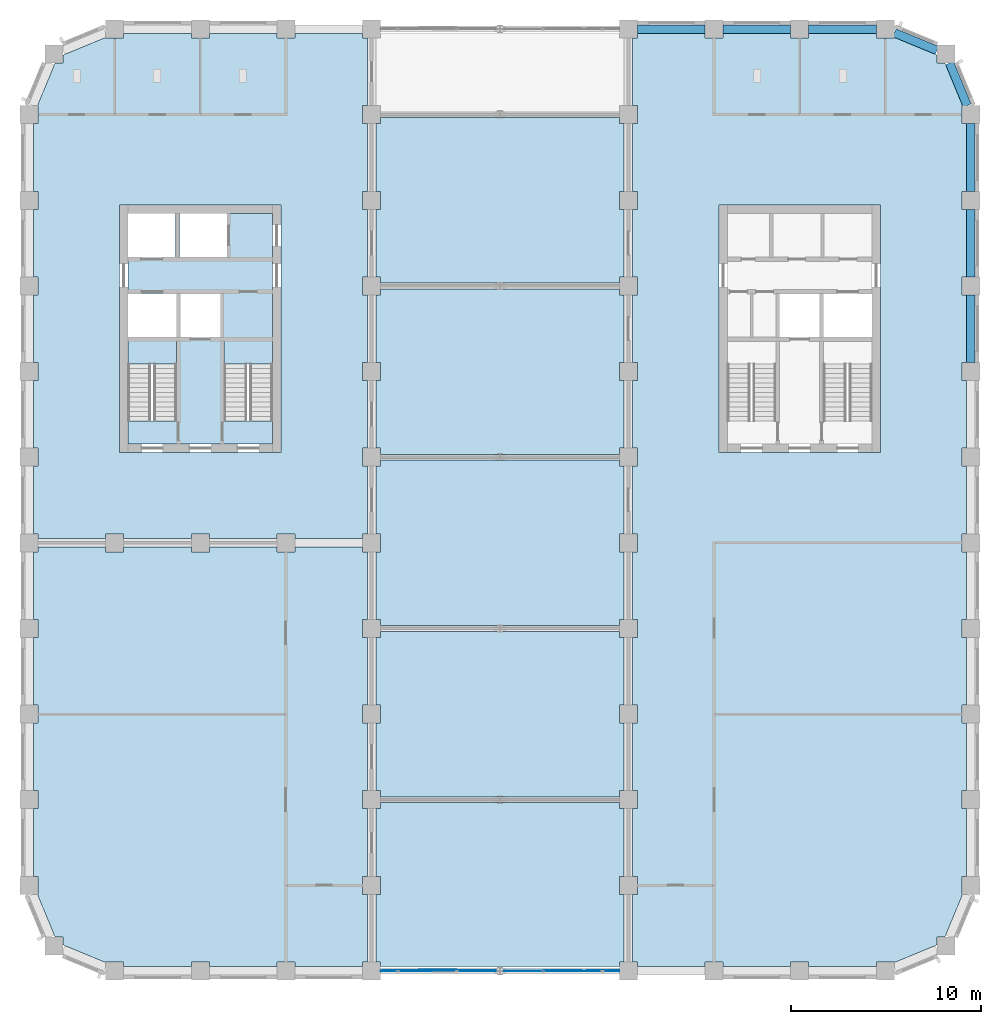
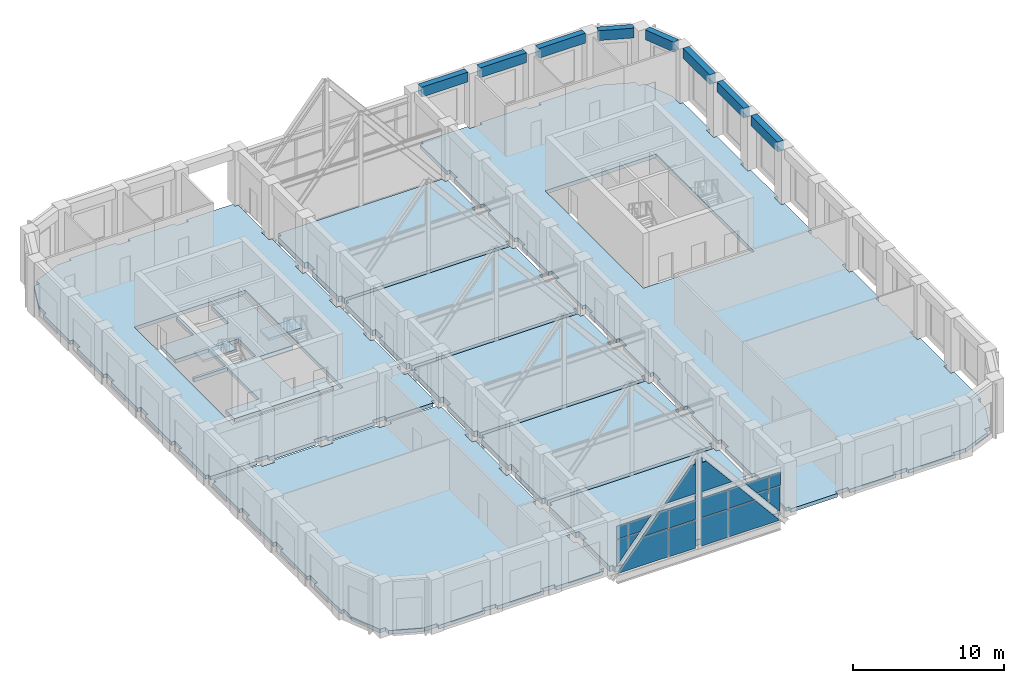
# One storey, part 6 of 15: 16 plates, 11 slabs, 8 beams, 6 elements without a shape of their own.
"""IFC4 building model written with IfcOpenShell, lengths in metres."""

from ifc_helpers import new_model, si_unit, direction, frame, origin, origin_2d, place, context, subcontext, project, spatial, polyline, rectangle, outline, extrude, material, layer, layer_set, material_profile, profile_set, type_object, element, aggregate, save


model = new_model("IFC4")

# Units and contexts
model_context = context("Model", 3, precision=1e-05, world=origin(), true_north=direction((0.0, 1.0)))
body_context = subcontext(model_context, "Body", "Model", "MODEL_VIEW")
ifc_project = project(units=[si_unit("LENGTHUNIT", "METRE"), si_unit("AREAUNIT", "SQUARE_METRE"), si_unit("VOLUMEUNIT", "CUBIC_METRE"), si_unit("PLANEANGLEUNIT", "RADIAN"), si_unit("MASSUNIT", "GRAM", prefix="KILO")], contexts=[model_context])

# Site, building, storey
site_placement = place(None, origin())
site = spatial("IfcSite", under=ifc_project, at=site_placement, CompositionType="ELEMENT")
building_placement = place(site_placement, origin())
building = spatial("IfcBuilding", under=site, at=building_placement, Name="Girih Gate Residences", CompositionType="ELEMENT")
storey_placement = place(building_placement, frame((0.0, 0.0, 168.199951171875)))
storey = spatial("IfcBuildingStorey", under=building, at=storey_placement, Name="L46", CompositionType="ELEMENT", Elevation=168.199951171875)

# Beams
ifc_material_1 = material(Name="Concrete C60/75", Category="concrete")
ifc_material_profile = material_profile(ifc_material_1, rectangle(XDim=0.449951171875, YDim=0.800048828125, at=origin_2d()))
ifc_profile_set = profile_set([ifc_material_profile], Name="Concrete C60/75")
beam_type = type_object("IfcBeamType", Name="Spandrel girder RC 450x800 Concrete C60/75", PredefinedType="BEAM", material=ifc_profile_set)
for number, where, z_axis, x_axis, name in (
    (1, (49.5, 31.97509765625, 4.0), (0.0, 1.0, 0.0), (-1.0, 0.0, 0.0), "Spandrel girder SP-P12H-P12I L46"),
    (2, (49.5, 36.47509765625, 4.0), (0.0, 1.0, 0.0), (-1.0, 0.0, 0.0), "Spandrel girder SP-P12I-P12J L46"),
    (3, (49.5, 40.97509765625, 4.0), (0.0, 1.0, 0.0), (-1.0, 0.0, 0.0), "Spandrel girder SP-P12J-P12K L46"),
):
    element("IfcBeam", number, at=place(storey_placement, frame(where, z_axis=z_axis, x_axis=x_axis)), inside=storey, type_object=beam_type, Name=name, PredefinedType="BEAM", context=body_context, shape_type="SweptSolid", body=[
        extrude(rectangle(XDim=0.449951171875, YDim=0.800048828125, at=origin_2d()), origin(), (0.0, 0.0, 1.0), 3.5498046875),
    ])
for number, where, z_axis, x_axis, name in (
    (4, (49.30322265625, 45.47509765625, 4.0), (-0.382705825988, 0.923870256451, 0.0), (-0.923870256451, -0.382705825988, 0.0), "Spandrel girder SP-P12K-P12LSW L46"),
    (5, (47.70703125, 48.378662109375, 4.0), (-0.923870256451, 0.382705825988, 0.0), (-0.382705825988, -0.923870256451, 0.0), "Spandrel girder SP-P12LSW-P11L L46"),
):
    element("IfcBeam", number, at=place(storey_placement, frame(where, z_axis=z_axis, x_axis=x_axis)), inside=storey, type_object=beam_type, Name=name, PredefinedType="BEAM", context=body_context, shape_type="SweptSolid", body=[
        extrude(rectangle(XDim=0.449951171875, YDim=0.800048828125, at=origin_2d()), origin(), (0.0, 0.0, 1.0), 2.415771484375),
    ])
for number, where, z_axis, x_axis, name in (
    (6, (44.52490234375, 49.5, 4.0), (-1.0, 0.0, 0.0), (0.0, -1.0, 0.0), "Spandrel girder SP-P11L-P10L L46"),
    (7, (40.02490234375, 49.5, 4.0), (-1.0, 0.0, 0.0), (0.0, -1.0, 0.0), "Spandrel girder SP-P10L-P9L L46"),
    (8, (35.52490234375, 49.5, 4.0), (-1.0, 0.0, 0.0), (0.0, -1.0, 0.0), "Spandrel girder SP-P9L-P8L L46"),
):
    element("IfcBeam", number, at=place(storey_placement, frame(where, z_axis=z_axis, x_axis=x_axis)), inside=storey, type_object=beam_type, Name=name, PredefinedType="BEAM", context=body_context, shape_type="SweptSolid", body=[
        extrude(rectangle(XDim=0.449951171875, YDim=0.800048828125, at=origin_2d()), origin(), (0.0, 0.0, 1.0), 3.5498046875),
    ])

# Slab
ifc_material_2 = material(Name="Concrete C40/50", Category="concrete")
ifc_layer_1 = layer(ifc_material_2, 0.300048828125)
ifc_layer_set_1 = layer_set([ifc_layer_1], Name="Core floor slab 300")
slab_type_1 = type_object("IfcSlabType", Name="Core floor slab 300", PredefinedType="FLOOR", material=ifc_layer_set_1)
slab_1_placement = place(storey_placement, frame((0.0, 0.0, -0.300048828125)))
element("IfcSlab", 9, at=slab_1_placement, inside=storey, type_object=slab_type_1, Name="L46 W core floor", PredefinedType="FLOOR", context=body_context, shape_type="SweptSolid", body=[
    extrude(outline(polyline([(12.800048828125, 27.699951171875), (5.199951171875, 27.699951171875), (5.199951171875, 28.900634765625), (7.75, 28.900634765625), (7.75, 33.10009765625), (5.199951171875, 33.10009765625), (5.199951171875, 33.300048828125), (7.75, 33.300048828125), (7.75, 35.60009765625), (5.199951171875, 35.60009765625), (5.199951171875, 37.5), (7.699951171875, 37.5), (7.699951171875, 39.800048828125), (7.89990234375, 39.800048828125), (7.89990234375, 37.5), (10.39990234375, 37.5), (10.39990234375, 39.800048828125), (12.800048828125, 39.800048828125), (12.800048828125, 33.10009765625), (10.25, 33.10009765625), (10.25, 28.900634765625), (12.800048828125, 28.900634765625), (12.800048828125, 27.699951171875)]), holes=[polyline([(7.949951171875, 33.300048828125), (10.050048828125, 33.300048828125), (10.050048828125, 35.60009765625), (7.949951171875, 35.60009765625), (7.949951171875, 33.300048828125)])]), origin(), (0.0, 0.0, 1.0), 0.300048828125),
])

# Curtain wall, plates
ifc_material_3 = material(Name="Aluminium curtain wall frame", Category="aluminium")
curtain_wall_type = type_object("IfcCurtainWallType", Name="Curtain wall CW-4 bridge glazing", PredefinedType="NOTDEFINED", material=ifc_material_3)
curtain_wall_1_placement = place(storey_placement, origin())
curtain_wall_1 = element("IfcCurtainWall", 10, at=curtain_wall_1_placement, inside=storey, type_object=curtain_wall_type, Name="CW-4 Bridge glazing S1", PredefinedType="NOTDEFINED")
ifc_material_4 = material(Name="Double glazed unit")
ifc_layer_2 = layer(ifc_material_4, 0.028076171875)
ifc_layer_set_2 = layer_set([ifc_layer_2], Name="Curtain wall glass panel 28")
plate_type = type_object("IfcPlateType", Name="Curtain wall glass panel 28", PredefinedType="CURTAIN_PANEL", material=ifc_layer_set_2)
plate_1_placement = place(storey_placement, frame((19.333251953125, 0.013916015625, 3.43505859375), z_axis=(0.0, 1.0, 0.0), x_axis=(0.0, 0.0, -1.0)))
plate_1 = element("IfcPlate", 11, at=plate_1_placement, type_object=plate_type, Name="CW-4 panel S1.1", PredefinedType="CURTAIN_PANEL", context=body_context, shape_type="SweptSolid", body=[
    extrude(outline(polyline([(0.0, 0.0), (1.035888671875, 0.0), (1.035888671875, 0.858154296875), (0.0, 0.858154296875), (0.0, 0.0)])), origin(), (0.0, 0.0, -1.0), 0.028076171875),
])
plate_2_placement = place(storey_placement, frame((21.139892578125, 0.013916015625, 3.43505859375), z_axis=(0.0, 1.0, 0.0), x_axis=(-0.640167072244, 0.0, -0.768235718783)))
plate_2 = element("IfcPlate", 12, at=plate_2_placement, type_object=plate_type, Name="CW-4 panel S1.2", PredefinedType="CURTAIN_PANEL", context=body_context, shape_type="SweptSolid", body=[
    extrude(outline(polyline([(0.0, 0.0), (1.3858991968136753, 0.0), (1.3637674060870153, 0.0184423131164142), (1.9139109837969996, 0.6786448839455945), (1.118104305379894, 1.3417867021908965), (0.0, 0.0)])), origin(), (0.0, 0.0, -1.0), 0.028076171875),
])
plate_3_placement = place(storey_placement, frame((19.393310546875, 0.013916015625, 1.339111328125), z_axis=(0.0, 1.0, 0.0), x_axis=(0.0, 0.0, 1.0)))
plate_3 = element("IfcPlate", 13, at=plate_3_placement, type_object=plate_type, Name="CW-4 panel S1.3", PredefinedType="CURTAIN_PANEL", context=body_context, shape_type="SweptSolid", body=[
    extrude(outline(polyline([(0.0, 0.0), (1.0, 0.0), (1.0, 0.833251953125), (0.0, 0.0)])), origin(), (0.0, 0.0, -1.0), 0.028076171875),
])
plate_4_placement = place(storey_placement, frame((18.47509765625, 0.013916015625, 0.237060546875), z_axis=(0.0, 1.0, 0.0), x_axis=(0.0, 0.0, 1.0)))
plate_4 = element("IfcPlate", 14, at=plate_4_placement, type_object=plate_type, Name="CW-4 panel S1.4", PredefinedType="CURTAIN_PANEL", context=body_context, shape_type="SweptSolid", body=[
    extrude(outline(polyline([(0.0, 0.0), (2.10205078125, 0.0), (2.10205078125, 0.858154296875), (1.065185546875, 0.858154296875), (1.065185546875, 0.887451171875), (0.0, 0.0)])), origin(), (0.0, 0.0, -1.0), 0.028076171875),
])
aggregate(curtain_wall_1, [plate_1, plate_2, plate_3, plate_4])

curtain_wall_2_placement = place(storey_placement, origin())
curtain_wall_2 = element("IfcCurtainWall", 15, at=curtain_wall_2_placement, inside=storey, type_object=curtain_wall_type, Name="CW-4 Bridge glazing S3", PredefinedType="NOTDEFINED")
plate_5_placement = place(storey_placement, frame((24.534912109375, 0.0439453125, 1.86962890625), z_axis=(0.0, 1.0, 0.0), x_axis=(-1.0, 0.0, 0.0)))
plate_5 = element("IfcPlate", 16, at=plate_5_placement, type_object=plate_type, Name="CW-4 panel S3.1", PredefinedType="CURTAIN_PANEL", context=body_context, shape_type="SweptSolid", body=[
    extrude(outline(polyline([(0.0, 0.0), (2.025146484375, 0.0), (2.025146484375, 1.5654296875), (0.034912109375, 1.5654296875), (0.034912109375, 2.095458984375), (2.341552734375, 2.095458984375), (0.366455078125, 4.46533203125), (0.034912109375, 4.46533203125), (0.034912109375, 4.86328125), (0.00830078125, 4.8955078125), (0.0, 4.8955078125), (0.0, 0.0)])), origin(), (0.0, 0.0, -1.0), 0.028076171875),
])
plate_6_placement = place(storey_placement, frame((24.534912109375, 0.013916015625, -0.43505859375), z_axis=(0.0, 1.0, 0.0), x_axis=(-1.0, 0.0, 0.0)))
plate_6 = element("IfcPlate", 17, at=plate_6_placement, type_object=plate_type, Name="CW-4 panel S3.2", PredefinedType="CURTAIN_PANEL", context=body_context, shape_type="SweptSolid", body=[
    extrude(outline(polyline([(0.0, 0.0), (2.025146484375, 0.0), (2.025146484375, 2.24462890625), (0.0, 2.24462890625), (0.0, 0.0)])), origin(), (0.0, 0.0, -1.0), 0.028076171875),
])
plate_7_placement = place(storey_placement, frame((18.526611328125, 0.0439453125, -0.43505859375), z_axis=(0.0, 1.0, 0.0), x_axis=(0.640233083146, 0.0, 0.768180707416)))
plate_7 = element("IfcPlate", 18, at=plate_7_placement, type_object=plate_type, Name="CW-4 panel S3.3", PredefinedType="CURTAIN_PANEL", context=body_context, shape_type="SweptSolid", body=[
    extrude(outline(polyline([(0.0, 0.0), (2.95950871722392, 0.0), (2.937378511297393, 0.01844421479765601), (4.235976278576423, 1.5765607473195384), (2.511695657487571, 3.0136464324860532), (0.0, 0.0)])), origin(), (0.0, 0.0, -1.0), 0.028076171875),
])
plate_8_placement = place(storey_placement, frame((21.751708984375, 0.073974609375, 3.43505859375), z_axis=(0.0, 1.0, 0.0), x_axis=(1.0, 0.0, 0.0)))
plate_8 = element("IfcPlate", 19, at=plate_8_placement, type_object=plate_type, Name="CW-4 panel S3.4", PredefinedType="CURTAIN_PANEL", context=body_context, shape_type="SweptSolid", body=[
    extrude(outline(polyline([(0.0, 0.0), (0.697998046875, 0.0), (0.697998046875, 1.5654296875), (-1.304443359375, 1.5654296875), (0.0, 0.0)])), origin(), (0.0, 0.0, -1.0), 0.028076171875),
])
aggregate(curtain_wall_2, [plate_5, plate_6, plate_7, plate_8])

curtain_wall_3_placement = place(storey_placement, origin())
curtain_wall_3 = element("IfcCurtainWall", 20, at=curtain_wall_3_placement, inside=storey, type_object=curtain_wall_type, Name="CW-4 Bridge glazing S4", PredefinedType="NOTDEFINED")
plate_9_placement = place(storey_placement, frame((25.0, 0.013916015625, 6.73291015625), z_axis=(0.0, 1.0, 0.0), x_axis=(0.0, 0.0, -1.0)))
plate_9 = element("IfcPlate", 21, at=plate_9_placement, type_object=plate_type, Name="CW-4 panel S4.1", PredefinedType="CURTAIN_PANEL", context=body_context, shape_type="SweptSolid", body=[
    extrude(outline(polyline([(0.0, 0.0), (0.39794921875, 0.0), (0.39794921875, -0.33154296875), (2.767822265625, -2.306640625), (2.767822265625, 0.0), (3.2978515625, 0.0), (3.2978515625, -1.990234375), (4.86328125, -1.990234375), (4.86328125, 0.034912109375), (-0.0322265625, 0.034912109375), (-0.0322265625, 0.026611328125), (0.0, 0.0)])), origin(), (0.0, 0.0, -1.0), 0.028076171875),
])
plate_10_placement = place(storey_placement, frame((27.748291015625, 0.0439453125, 3.43505859375), z_axis=(0.0, 1.0, 0.0), x_axis=(0.640160829594, 0.0, -0.76824092071)))
plate_10 = element("IfcPlate", 22, at=plate_10_placement, type_object=plate_type, Name="CW-4 panel S4.2", PredefinedType="CURTAIN_PANEL", context=body_context, shape_type="SweptSolid", body=[
    extrude(outline(polyline([(0.0, 0.0), (2.0376806875278284, 0.0), (0.7557961356899306, 1.5383574296059517), (-0.44683100874232495, 0.5362306621852494), (0.0, 0.0)])), origin(), (0.0, 0.0, -1.0), 0.028076171875),
])
plate_11_placement = place(storey_placement, frame((30.973388671875, 0.013916015625, -0.43505859375), z_axis=(0.0, 1.0, 0.0), x_axis=(-1.0, 0.0, 0.0)))
plate_11 = element("IfcPlate", 23, at=plate_11_placement, type_object=plate_type, Name="CW-4 panel S4.3", PredefinedType="CURTAIN_PANEL", context=body_context, shape_type="SweptSolid", body=[
    extrude(outline(polyline([(0.0, 0.0), (3.923095703125, 0.0), (3.923095703125, 2.24462890625), (1.894775390625, 2.24462890625), (1.894775390625, 2.2734375), (0.0, 0.0)])), origin(), (0.0, 0.0, -1.0), 0.028076171875),
])
plate_12_placement = place(storey_placement, frame((24.965087890625, 0.013916015625, -0.43505859375), z_axis=(0.0, 1.0, 0.0), x_axis=(0.0, 0.0, 1.0)))
plate_12 = element("IfcPlate", 24, at=plate_12_placement, type_object=plate_type, Name="CW-4 panel S4.4", PredefinedType="CURTAIN_PANEL", context=body_context, shape_type="SweptSolid", body=[
    extrude(outline(polyline([(0.0, 0.0), (2.24462890625, 0.0), (2.24462890625, 2.025146484375), (0.0, 2.025146484375), (0.0, 0.0)])), origin(), (0.0, 0.0, -1.0), 0.028076171875),
])
aggregate(curtain_wall_3, [plate_9, plate_10, plate_11, plate_12])

curtain_wall_4_placement = place(storey_placement, origin())
curtain_wall_4 = element("IfcCurtainWall", 25, at=curtain_wall_4_placement, inside=storey, type_object=curtain_wall_type, Name="CW-4 Bridge glazing S6", PredefinedType="NOTDEFINED")
plate_13_placement = place(storey_placement, frame((30.137451171875, 0.0439453125, 1.30224609375), z_axis=(0.0, 1.0, 0.0), x_axis=(1.0, 0.0, 0.0)))
plate_13 = element("IfcPlate", 26, at=plate_13_placement, type_object=plate_type, Name="CW-4 panel S6.1", PredefinedType="CURTAIN_PANEL", context=body_context, shape_type="SweptSolid", body=[
    extrude(outline(polyline([(0.0, 0.0), (0.029296875, 0.0), (0.029296875, -1.036865234375), (0.887451171875, -1.036865234375), (0.887451171875, 1.065185546875), (0.0, 0.0)])), origin(), (0.0, 0.0, -1.0), 0.028076171875),
])
plate_14_placement = place(storey_placement, frame((29.2734375, 0.0439453125, 2.339111328125), z_axis=(0.0, 1.0, 0.0), x_axis=(1.0, 0.0, 0.0)))
plate_14 = element("IfcPlate", 27, at=plate_14_placement, type_object=plate_type, Name="CW-4 panel S6.2", PredefinedType="CURTAIN_PANEL", context=body_context, shape_type="SweptSolid", body=[
    extrude(outline(polyline([(0.0, 0.0), (0.833251953125, 0.0), (0.833251953125, 1.0), (0.0, 0.0)])), origin(), (0.0, 0.0, -1.0), 0.028076171875),
])
plate_15_placement = place(storey_placement, frame((28.360107421875, 0.013916015625, 3.43505859375), z_axis=(0.0, 1.0, 0.0), x_axis=(1.0, 0.0, 0.0)))
plate_15 = element("IfcPlate", 28, at=plate_15_placement, type_object=plate_type, Name="CW-4 panel S6.3", PredefinedType="CURTAIN_PANEL", context=body_context, shape_type="SweptSolid", body=[
    extrude(outline(polyline([(0.0, 0.0), (1.74658203125, 0.0), (1.74658203125, 1.035888671875), (0.88720703125, 1.035888671875), (0.88720703125, 1.064697265625), (0.0, 0.0)])), origin(), (0.0, 0.0, -1.0), 0.028076171875),
])
plate_16_placement = place(storey_placement, frame((31.02490234375, 0.013916015625, 3.43505859375), z_axis=(0.0, 1.0, 0.0), x_axis=(0.0, 0.0, -1.0)))
plate_16 = element("IfcPlate", 29, at=plate_16_placement, type_object=plate_type, Name="CW-4 panel S6.4", PredefinedType="CURTAIN_PANEL", context=body_context, shape_type="SweptSolid", body=[
    extrude(outline(polyline([(0.0, 0.0), (1.035888671875, 0.0), (1.035888671875, 0.858154296875), (0.0, 0.858154296875), (0.0, 0.0)])), origin(), (0.0, 0.0, -1.0), 0.028076171875),
])
aggregate(curtain_wall_4, [plate_13, plate_14, plate_15, plate_16])

# Slabs
ifc_layer_3 = layer(ifc_material_2, 0.300048828125)
ifc_layer_set_3 = layer_set([ifc_layer_3], Name="Floor slab PT 300 Concrete C40/50")
slab_type_2 = type_object("IfcSlabType", Name="Floor slab PT 300 Concrete C40/50", PredefinedType="FLOOR", material=ifc_layer_set_3)
slab_2_placement = place(storey_placement, frame((0.0, 0.0, -0.300048828125)))
element("IfcSlab", 30, at=slab_2_placement, inside=storey, type_object=slab_type_2, Name="Floor slab L46 1", PredefinedType="FLOOR", context=body_context, shape_type="SweptSolid", body=[
    extrude(outline(polyline([(0.22509765625, 8.52490234375), (0.22509765625, 4.97509765625), (0.47509765625, 4.97509765625), (0.47509765625, 4.02490234375), (0.440185546875, 4.02490234375), (1.36474609375, 1.79296875), (1.79296875, 1.79296875), (1.79296875, 1.36474609375), (4.02490234375, 0.440185546875), (4.02490234375, 0.47509765625), (4.97509765625, 0.47509765625), (4.97509765625, 0.22509765625), (8.52490234375, 0.22509765625), (8.52490234375, 0.47509765625), (9.47509765625, 0.47509765625), (9.47509765625, 0.22509765625), (13.02490234375, 0.22509765625), (13.02490234375, 0.47509765625), (13.97509765625, 0.47509765625), (13.97509765625, 0.22509765625), (17.52490234375, 0.22509765625), (17.52490234375, 0.47509765625), (17.77490234375, 0.47509765625), (17.77490234375, 4.02490234375), (17.52490234375, 4.02490234375), (17.52490234375, 4.97509765625), (17.77490234375, 4.97509765625), (17.77490234375, 8.52490234375), (17.52490234375, 8.52490234375), (17.52490234375, 9.47509765625), (17.77490234375, 9.47509765625), (17.77490234375, 13.02490234375), (17.52490234375, 13.02490234375), (17.52490234375, 13.97509765625), (17.77490234375, 13.97509765625), (17.77490234375, 17.52490234375), (17.52490234375, 17.52490234375), (17.52490234375, 18.47509765625), (17.77490234375, 18.47509765625), (17.77490234375, 22.02490234375), (17.52490234375, 22.02490234375), (17.52490234375, 22.27490234375), (13.97509765625, 22.27490234375), (13.97509765625, 22.02490234375), (13.02490234375, 22.02490234375), (13.02490234375, 22.27490234375), (9.47509765625, 22.27490234375), (9.47509765625, 22.02490234375), (8.52490234375, 22.02490234375), (8.52490234375, 22.27490234375), (4.97509765625, 22.27490234375), (4.97509765625, 22.02490234375), (4.02490234375, 22.02490234375), (4.02490234375, 22.27490234375), (0.47509765625, 22.27490234375), (0.47509765625, 22.02490234375), (0.22509765625, 22.02490234375), (0.22509765625, 18.47509765625), (0.47509765625, 18.47509765625), (0.47509765625, 17.52490234375), (0.22509765625, 17.52490234375), (0.22509765625, 13.97509765625), (0.47509765625, 13.97509765625), (0.47509765625, 13.02490234375), (0.22509765625, 13.02490234375), (0.22509765625, 9.47509765625), (0.47509765625, 9.47509765625), (0.47509765625, 8.52490234375), (0.22509765625, 8.52490234375)])), origin(), (0.0, 0.0, 1.0), 0.300048828125),
])
slab_3_placement = place(storey_placement, frame((0.0, 0.0, -0.300048828125)))
element("IfcSlab", 31, at=slab_3_placement, inside=storey, type_object=slab_type_2, Name="Floor slab L46 4", PredefinedType="FLOOR", context=body_context, shape_type="SweptSolid", body=[
    extrude(outline(polyline([(35.52490234375, 49.27490234375), (31.97509765625, 49.27490234375), (31.97509765625, 49.02490234375), (31.72509765625, 49.02490234375), (31.72509765625, 45.47509765625), (31.97509765625, 45.47509765625), (31.97509765625, 44.52490234375), (31.72509765625, 44.52490234375), (31.72509765625, 40.97509765625), (31.97509765625, 40.97509765625), (31.97509765625, 40.02490234375), (31.72509765625, 40.02490234375), (31.72509765625, 36.47509765625), (31.97509765625, 36.47509765625), (31.97509765625, 35.52490234375), (31.72509765625, 35.52490234375), (31.72509765625, 31.97509765625), (31.97509765625, 31.97509765625), (31.97509765625, 31.02490234375), (31.72509765625, 31.02490234375), (31.72509765625, 27.47509765625), (31.97509765625, 27.47509765625), (31.97509765625, 26.52490234375), (31.72509765625, 26.52490234375), (31.72509765625, 22.97509765625), (31.97509765625, 22.97509765625), (31.97509765625, 22.02490234375), (31.72509765625, 22.02490234375), (31.72509765625, 18.47509765625), (31.97509765625, 18.47509765625), (31.97509765625, 17.52490234375), (31.72509765625, 17.52490234375), (31.72509765625, 13.97509765625), (31.97509765625, 13.97509765625), (31.97509765625, 13.02490234375), (31.72509765625, 13.02490234375), (31.72509765625, 9.47509765625), (31.97509765625, 9.47509765625), (31.97509765625, 8.52490234375), (31.72509765625, 8.52490234375), (31.72509765625, 4.97509765625), (31.97509765625, 4.97509765625), (31.97509765625, 4.02490234375), (31.72509765625, 4.02490234375), (31.72509765625, 0.47509765625), (31.97509765625, 0.47509765625), (31.97509765625, 0.22509765625), (35.52490234375, 0.22509765625), (35.52490234375, 0.47509765625), (36.47509765625, 0.47509765625), (36.47509765625, 0.22509765625), (40.02490234375, 0.22509765625), (40.02490234375, 0.47509765625), (40.97509765625, 0.47509765625), (40.97509765625, 0.22509765625), (44.52490234375, 0.22509765625), (44.52490234375, 0.47509765625), (45.47509765625, 0.47509765625), (45.47509765625, 0.440185546875), (47.70703125, 1.36474609375), (47.70703125, 1.79296875), (48.13525390625, 1.79296875), (49.059814453125, 4.02490234375), (49.02490234375, 4.02490234375), (49.02490234375, 4.97509765625), (49.27490234375, 4.97509765625), (49.27490234375, 8.52490234375), (49.02490234375, 8.52490234375), (49.02490234375, 9.47509765625), (49.27490234375, 9.47509765625), (49.27490234375, 13.02490234375), (49.02490234375, 13.02490234375), (49.02490234375, 13.97509765625), (49.27490234375, 13.97509765625), (49.27490234375, 17.52490234375), (49.02490234375, 17.52490234375), (49.02490234375, 18.47509765625), (49.27490234375, 18.47509765625), (49.27490234375, 22.02490234375), (49.02490234375, 22.02490234375), (49.02490234375, 22.97509765625), (49.27490234375, 22.97509765625), (49.27490234375, 26.52490234375), (49.02490234375, 26.52490234375), (49.02490234375, 27.47509765625), (49.27490234375, 27.47509765625), (49.27490234375, 31.02490234375), (49.02490234375, 31.02490234375), (49.02490234375, 31.97509765625), (49.27490234375, 31.97509765625), (49.27490234375, 35.52490234375), (49.02490234375, 35.52490234375), (49.02490234375, 36.47509765625), (49.27490234375, 36.47509765625), (49.27490234375, 40.02490234375), (49.02490234375, 40.02490234375), (49.02490234375, 40.97509765625), (49.27490234375, 40.97509765625), (49.27490234375, 44.52490234375), (49.02490234375, 44.52490234375), (49.02490234375, 45.47509765625), (49.059814453125, 45.47509765625), (48.13525390625, 47.70703125), (47.70703125, 47.70703125), (47.70703125, 48.13525390625), (45.47509765625, 49.059814453125), (45.47509765625, 49.02490234375), (44.52490234375, 49.02490234375), (44.52490234375, 49.27490234375), (40.97509765625, 49.27490234375), (40.97509765625, 49.02490234375), (40.02490234375, 49.02490234375), (40.02490234375, 49.27490234375), (36.47509765625, 49.27490234375), (36.47509765625, 49.02490234375), (35.52490234375, 49.02490234375), (35.52490234375, 49.27490234375)]), holes=[polyline([(44.75, 40.25), (44.75, 27.25), (36.25, 27.25), (36.25, 40.25), (44.75, 40.25)])]), origin(), (0.0, 0.0, 1.0), 0.300048828125),
])
slab_4_placement = place(storey_placement, frame((0.0, 0.0, -0.300048828125)))
element("IfcSlab", 32, at=slab_4_placement, inside=storey, type_object=slab_type_2, Name="Floor slab L46 6", PredefinedType="FLOOR", context=body_context, shape_type="SweptSolid", body=[
    extrude(outline(polyline([(0.22509765625, 26.52490234375), (0.22509765625, 22.97509765625), (0.47509765625, 22.97509765625), (0.47509765625, 22.72509765625), (4.02490234375, 22.72509765625), (4.02490234375, 22.97509765625), (4.97509765625, 22.97509765625), (4.97509765625, 22.72509765625), (8.52490234375, 22.72509765625), (8.52490234375, 22.97509765625), (9.47509765625, 22.97509765625), (9.47509765625, 22.72509765625), (13.02490234375, 22.72509765625), (13.02490234375, 22.97509765625), (13.97509765625, 22.97509765625), (13.97509765625, 22.72509765625), (17.52490234375, 22.72509765625), (17.52490234375, 22.97509765625), (17.77490234375, 22.97509765625), (17.77490234375, 26.52490234375), (17.52490234375, 26.52490234375), (17.52490234375, 27.47509765625), (17.77490234375, 27.47509765625), (17.77490234375, 31.02490234375), (17.52490234375, 31.02490234375), (17.52490234375, 31.97509765625), (17.77490234375, 31.97509765625), (17.77490234375, 35.52490234375), (17.52490234375, 35.52490234375), (17.52490234375, 36.47509765625), (17.77490234375, 36.47509765625), (17.77490234375, 40.02490234375), (17.52490234375, 40.02490234375), (17.52490234375, 40.97509765625), (17.77490234375, 40.97509765625), (17.77490234375, 44.52490234375), (17.52490234375, 44.52490234375), (17.52490234375, 45.47509765625), (17.77490234375, 45.47509765625), (17.77490234375, 49.02490234375), (17.52490234375, 49.02490234375), (17.52490234375, 49.27490234375), (13.97509765625, 49.27490234375), (13.97509765625, 49.02490234375), (13.02490234375, 49.02490234375), (13.02490234375, 49.27490234375), (9.47509765625, 49.27490234375), (9.47509765625, 49.02490234375), (8.52490234375, 49.02490234375), (8.52490234375, 49.27490234375), (4.97509765625, 49.27490234375), (4.97509765625, 49.02490234375), (4.02490234375, 49.02490234375), (4.02490234375, 49.059814453125), (1.79296875, 48.13525390625), (1.79296875, 47.70703125), (1.36474609375, 47.70703125), (0.440185546875, 45.47509765625), (0.47509765625, 45.47509765625), (0.47509765625, 44.52490234375), (0.22509765625, 44.52490234375), (0.22509765625, 40.97509765625), (0.47509765625, 40.97509765625), (0.47509765625, 40.02490234375), (0.22509765625, 40.02490234375), (0.22509765625, 36.47509765625), (0.47509765625, 36.47509765625), (0.47509765625, 35.52490234375), (0.22509765625, 35.52490234375), (0.22509765625, 31.97509765625), (0.47509765625, 31.97509765625), (0.47509765625, 31.02490234375), (0.22509765625, 31.02490234375), (0.22509765625, 27.47509765625), (0.47509765625, 27.47509765625), (0.47509765625, 26.52490234375), (0.22509765625, 26.52490234375)]), holes=[polyline([(13.25, 40.25), (13.25, 27.25), (4.75, 27.25), (4.75, 40.25), (13.25, 40.25)])]), origin(), (0.0, 0.0, 1.0), 0.300048828125),
])
ifc_layer_4 = layer(ifc_material_2, 0.449951171875)
ifc_layer_set_4 = layer_set([ifc_layer_4], Name="Floor slab PT 450 Concrete C40/50")
slab_type_3 = type_object("IfcSlabType", Name="Floor slab PT 450 Concrete C40/50", PredefinedType="FLOOR", material=ifc_layer_set_4)
slab_5_placement = place(storey_placement, frame((0.0, 0.0, -0.449951171875)))
element("IfcSlab", 33, at=slab_5_placement, inside=storey, type_object=slab_type_3, Name="Floor slab L46 0", PredefinedType="FLOOR", context=body_context, shape_type="SweptSolid", body=[
    extrude(outline(polyline([(18.47509765625, 0.22509765625), (31.02490234375, 0.22509765625), (31.02490234375, 0.47509765625), (31.27490234375, 0.47509765625), (31.27490234375, 4.02490234375), (31.02490234375, 4.02490234375), (31.02490234375, 4.97509765625), (31.27490234375, 4.97509765625), (31.27490234375, 8.52490234375), (31.02490234375, 8.52490234375), (31.02490234375, 8.85009765625), (18.47509765625, 8.85009765625), (18.47509765625, 8.52490234375), (18.22509765625, 8.52490234375), (18.22509765625, 4.97509765625), (18.47509765625, 4.97509765625), (18.47509765625, 4.02490234375), (18.22509765625, 4.02490234375), (18.22509765625, 0.47509765625), (18.47509765625, 0.47509765625), (18.47509765625, 0.22509765625)])), origin(), (0.0, 0.0, 1.0), 0.449951171875),
])
slab_6_placement = place(storey_placement, frame((0.0, 0.0, -0.449951171875)))
element("IfcSlab", 34, at=slab_6_placement, inside=storey, type_object=slab_type_3, Name="Floor slab L46 2", PredefinedType="FLOOR", context=body_context, shape_type="SweptSolid", body=[
    extrude(outline(polyline([(18.47509765625, 17.85009765625), (18.47509765625, 17.52490234375), (18.22509765625, 17.52490234375), (18.22509765625, 13.97509765625), (18.47509765625, 13.97509765625), (18.47509765625, 13.02490234375), (18.22509765625, 13.02490234375), (18.22509765625, 9.47509765625), (18.47509765625, 9.47509765625), (18.47509765625, 9.14990234375), (31.02490234375, 9.14990234375), (31.02490234375, 9.47509765625), (31.27490234375, 9.47509765625), (31.27490234375, 13.02490234375), (31.02490234375, 13.02490234375), (31.02490234375, 13.97509765625), (31.27490234375, 13.97509765625), (31.27490234375, 17.52490234375), (31.02490234375, 17.52490234375), (31.02490234375, 17.85009765625), (18.47509765625, 17.85009765625)])), origin(), (0.0, 0.0, 1.0), 0.449951171875),
])
slab_7_placement = place(storey_placement, frame((0.0, 0.0, -0.449951171875)))
element("IfcSlab", 35, at=slab_7_placement, inside=storey, type_object=slab_type_3, Name="Floor slab L46 3", PredefinedType="FLOOR", context=body_context, shape_type="SweptSolid", body=[
    extrude(outline(polyline([(18.47509765625, 26.85009765625), (18.47509765625, 26.52490234375), (18.22509765625, 26.52490234375), (18.22509765625, 22.97509765625), (18.47509765625, 22.97509765625), (18.47509765625, 22.02490234375), (18.22509765625, 22.02490234375), (18.22509765625, 18.47509765625), (18.47509765625, 18.47509765625), (18.47509765625, 18.14990234375), (31.02490234375, 18.14990234375), (31.02490234375, 18.47509765625), (31.27490234375, 18.47509765625), (31.27490234375, 22.02490234375), (31.02490234375, 22.02490234375), (31.02490234375, 22.97509765625), (31.27490234375, 22.97509765625), (31.27490234375, 26.52490234375), (31.02490234375, 26.52490234375), (31.02490234375, 26.85009765625), (18.47509765625, 26.85009765625)])), origin(), (0.0, 0.0, 1.0), 0.449951171875),
])
slab_8_placement = place(storey_placement, frame((0.0, 0.0, -0.449951171875)))
element("IfcSlab", 36, at=slab_8_placement, inside=storey, type_object=slab_type_3, Name="Floor slab L46 5", PredefinedType="FLOOR", context=body_context, shape_type="SweptSolid", body=[
    extrude(outline(polyline([(18.47509765625, 35.85009765625), (18.47509765625, 35.52490234375), (18.22509765625, 35.52490234375), (18.22509765625, 31.97509765625), (18.47509765625, 31.97509765625), (18.47509765625, 31.02490234375), (18.22509765625, 31.02490234375), (18.22509765625, 27.47509765625), (18.47509765625, 27.47509765625), (18.47509765625, 27.14990234375), (31.02490234375, 27.14990234375), (31.02490234375, 27.47509765625), (31.27490234375, 27.47509765625), (31.27490234375, 31.02490234375), (31.02490234375, 31.02490234375), (31.02490234375, 31.97509765625), (31.27490234375, 31.97509765625), (31.27490234375, 35.52490234375), (31.02490234375, 35.52490234375), (31.02490234375, 35.85009765625), (18.47509765625, 35.85009765625)])), origin(), (0.0, 0.0, 1.0), 0.449951171875),
])
slab_9_placement = place(storey_placement, frame((0.0, 0.0, -0.449951171875)))
element("IfcSlab", 37, at=slab_9_placement, inside=storey, type_object=slab_type_3, Name="Floor slab L46 7", PredefinedType="FLOOR", context=body_context, shape_type="SweptSolid", body=[
    extrude(outline(polyline([(31.02490234375, 44.85009765625), (18.47509765625, 44.85009765625), (18.47509765625, 44.52490234375), (18.22509765625, 44.52490234375), (18.22509765625, 40.97509765625), (18.47509765625, 40.97509765625), (18.47509765625, 40.02490234375), (18.22509765625, 40.02490234375), (18.22509765625, 36.47509765625), (18.47509765625, 36.47509765625), (18.47509765625, 36.14990234375), (31.02490234375, 36.14990234375), (31.02490234375, 36.47509765625), (31.27490234375, 36.47509765625), (31.27490234375, 40.02490234375), (31.02490234375, 40.02490234375), (31.02490234375, 40.97509765625), (31.27490234375, 40.97509765625), (31.27490234375, 44.52490234375), (31.02490234375, 44.52490234375), (31.02490234375, 44.85009765625)])), origin(), (0.0, 0.0, 1.0), 0.449951171875),
])

# Stair, slab
stair_type = type_object("IfcStairType", Name="Exit stair", PredefinedType="HALF_TURN_STAIR", material=ifc_material_2)
stair_1_placement = place(storey_placement, origin())
stair_1 = element("IfcStair", 38, at=stair_1_placement, inside=storey, type_object=stair_type, Name="L46 Exit Stair ST-W1", PredefinedType="HALF_TURN_STAIR")
ifc_layer_5 = layer(ifc_material_2, 0.199951171875)
ifc_layer_set_5 = layer_set([ifc_layer_5], Name="Stair landing 200")
slab_type_4 = type_object("IfcSlabType", Name="Stair landing 200", PredefinedType="LANDING", material=ifc_layer_set_5)
slab_10_placement = place(storey_placement, frame((0.0, 0.0, 2.0)))
slab_10 = element("IfcSlab", 39, at=slab_10_placement, type_object=slab_type_4, Name="ST-W1 landing 1", PredefinedType="LANDING", context=body_context, shape_type="SweptSolid", body=[
    extrude(outline(polyline([(7.75, 31.89990234375), (7.75, 33.10009765625), (5.199951171875, 33.10009765625), (5.199951171875, 31.89990234375), (7.75, 31.89990234375)])), origin(), (0.0, 0.0, 1.0), 0.199951171875),
])
aggregate(stair_1, [slab_10])

stair_2_placement = place(storey_placement, origin())
stair_2 = element("IfcStair", 40, at=stair_2_placement, inside=storey, type_object=stair_type, Name="L46 Exit Stair ST-W2", PredefinedType="HALF_TURN_STAIR")
slab_11_placement = place(storey_placement, frame((0.0, 0.0, 2.0)))
slab_11 = element("IfcSlab", 41, at=slab_11_placement, type_object=slab_type_4, Name="ST-W2 landing 1", PredefinedType="LANDING", context=body_context, shape_type="SweptSolid", body=[
    extrude(outline(polyline([(12.800048828125, 31.89990234375), (12.800048828125, 33.10009765625), (10.25, 33.10009765625), (10.25, 31.89990234375), (12.800048828125, 31.89990234375)])), origin(), (0.0, 0.0, 1.0), 0.199951171875),
])
aggregate(stair_2, [slab_11])

save(model, "model.ifc")
